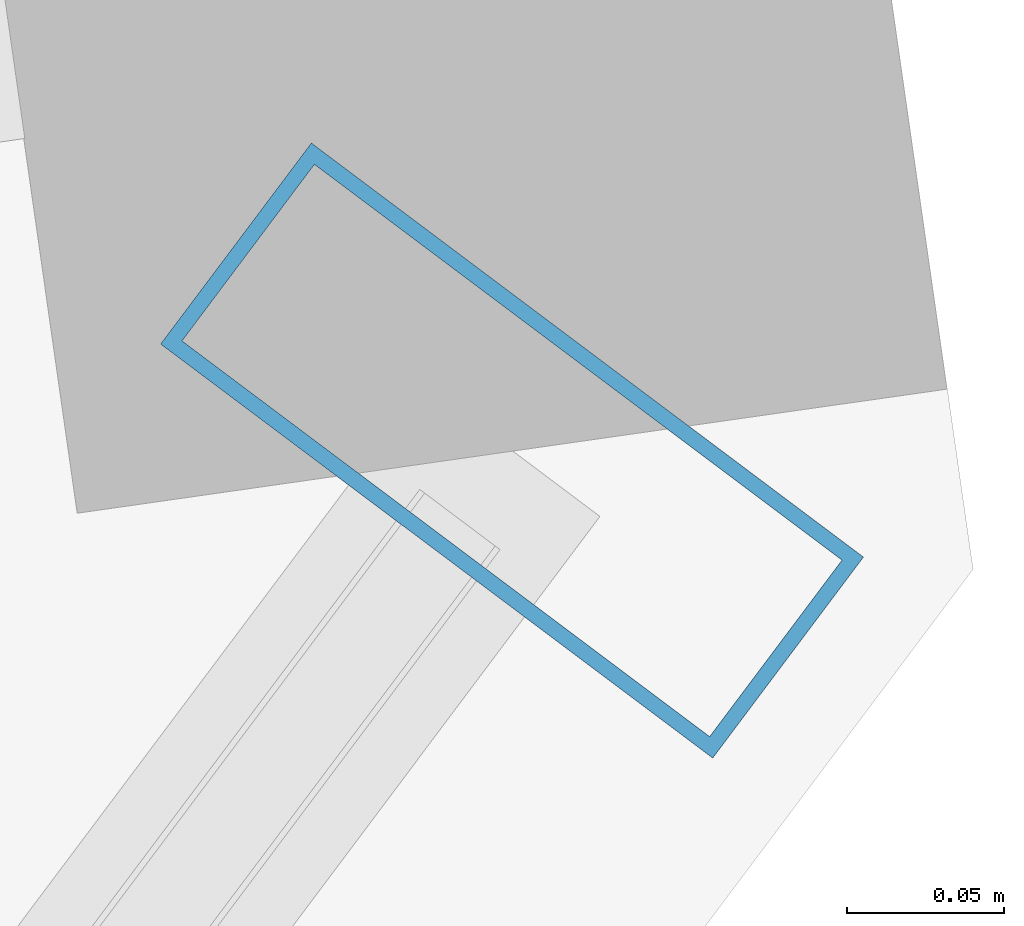
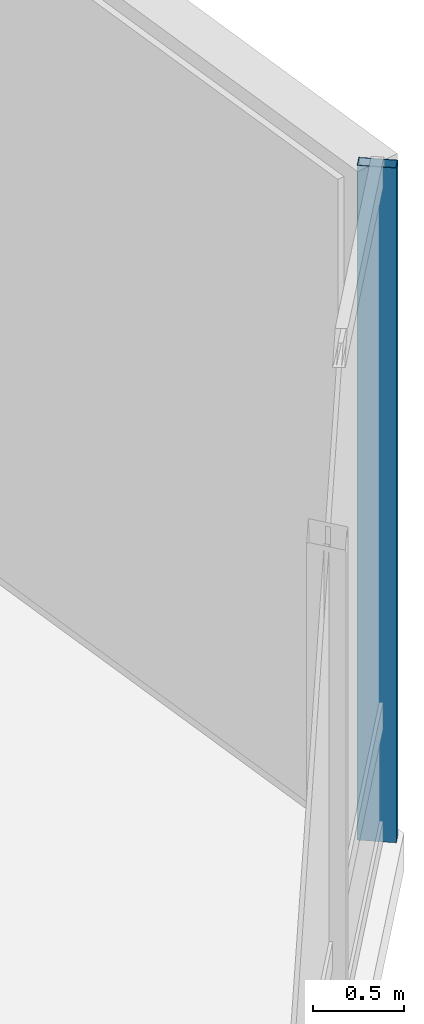
# One storey, part 10 of 27: 1 member, 1 element without a shape of its own.
"""IFC4 building model written with IfcOpenShell, lengths in metres."""

from ifc_helpers import new_model, si_unit, direction, frame, origin, origin_2d, place, context, subcontext, project, spatial, hollow_rectangle, extrude, material, layer, layer_set, material_profile, profile_set, type_object, element, aggregate, save


model = new_model("IFC4")

# Units and contexts
model_context = context("Model", 3, precision=1e-05, world=origin(), true_north=direction((0.0, 1.0)))
body_context = subcontext(model_context, "Body", "Model", "MODEL_VIEW")
ifc_project = project(units=[si_unit("LENGTHUNIT", "METRE"), si_unit("AREAUNIT", "SQUARE_METRE"), si_unit("VOLUMEUNIT", "CUBIC_METRE"), si_unit("PLANEANGLEUNIT", "RADIAN"), si_unit("MASSUNIT", "GRAM", prefix="KILO")], contexts=[model_context])

# Site, building, storey
site_placement = place(None, origin())
site = spatial("IfcSite", under=ifc_project, at=site_placement, CompositionType="ELEMENT")
building_placement = place(site_placement, origin())
building = spatial("IfcBuilding", under=site, at=building_placement, Name="Hatsunagi Terrace Concourse", CompositionType="ELEMENT")
storey_placement = place(building_placement, frame((0.0, 0.0, 96.449951171875)))
storey = spatial("IfcBuildingStorey", under=building, at=storey_placement, Name="L25", CompositionType="ELEMENT", Elevation=96.449951171875)

# Curtain wall, member
ifc_material_1 = material(Name="Anodised Aluminium Alloy 6063-T5", Category="aluminium")
ifc_layer = layer(ifc_material_1, 0.199951171875)
ifc_layer_set = layer_set([ifc_layer], Name="SkyLobbyAtrium_CW05")
curtain_wall_type = type_object("IfcCurtainWallType", Name="SkyLobbyAtrium_CW05", PredefinedType="NOTDEFINED", material=ifc_layer_set)
curtain_wall_placement = place(storey_placement, origin())
curtain_wall = element("IfcCurtainWall", 1, at=curtain_wall_placement, inside=storey, type_object=curtain_wall_type, Name="Unitised Curtain Wall CW-05 CW-L25-03", PredefinedType="NOTDEFINED")
ifc_material_2 = material(Name="Anodised Aluminium Alloy 6063-T5", Category="aluminium")
ifc_material_profile = material_profile(ifc_material_2, hollow_rectangle(XDim=0.080078125, YDim=0.219970703125, WallThickness=0.0048828125, at=origin_2d()), Name="ALU-MUL-220x80x5")
ifc_profile_set = profile_set([ifc_material_profile], Name="Anodised Aluminium Alloy 6063-T5")
member_type = type_object("IfcMemberType", Name="CurtainWallMullion_Heavy_220x80", PredefinedType="MULLION", material=ifc_profile_set)
member_placement = place(storey_placement, frame((69.093017578125, 19.657958984375, 0.0), z_axis=(0.0, 0.0, 1.0), x_axis=(-0.599969314634, -0.800023013105, 0.0)))
member = element("IfcMember", 2, at=member_placement, type_object=member_type, Name="Curtain Wall Mullion MUL-01", PredefinedType="MULLION", context=body_context, shape_type="SweptSolid", body=[
    extrude(hollow_rectangle(XDim=0.080078125, YDim=0.219970703125, WallThickness=0.0048828125, at=origin_2d()), origin(), (0.0, 0.0, 1.0), 4.550048828125),
])
aggregate(curtain_wall, [member])

save(model, "model.ifc")
